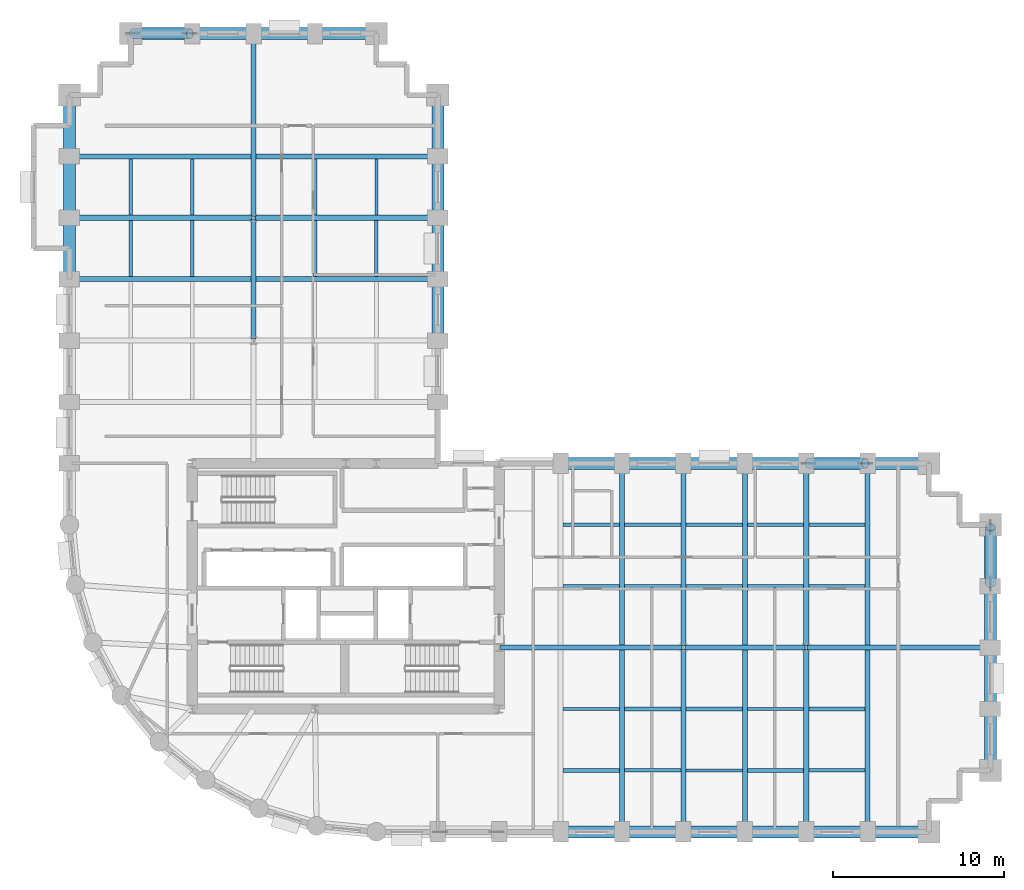
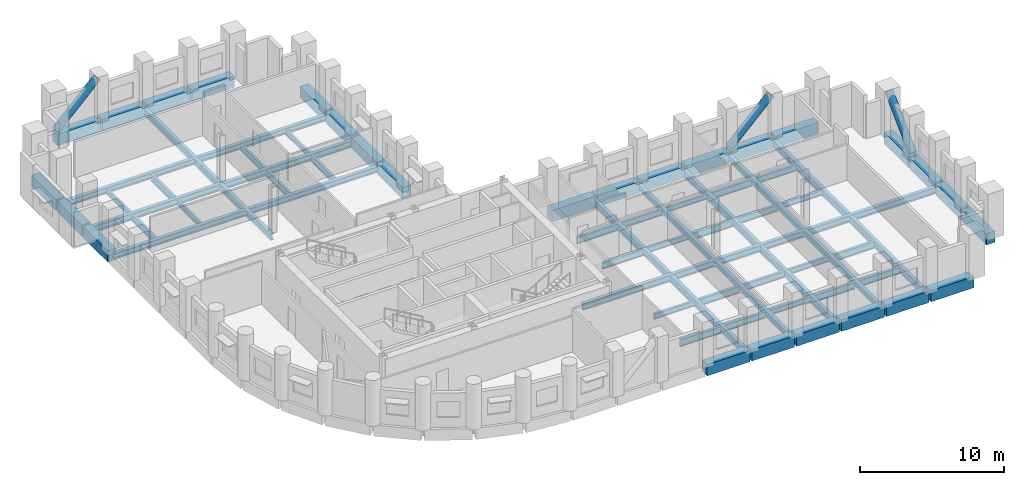
# One storey, part 2 of 11: 71 beams, 3 members.
"""IFC4 building model written with IfcOpenShell, lengths in metres."""

from ifc_helpers import new_model, si_unit, direction, frame, origin, origin_2d, place, context, subcontext, project, spatial, rectangle, hollow_circle, i_section, extrude, material, material_profile, profile_set, type_object, element, save


model = new_model("IFC4")

# Units and contexts
model_context = context("Model", 3, precision=1e-05, world=origin(), true_north=direction((0.0, 1.0)))
body_context = subcontext(model_context, "Body", "Model", "MODEL_VIEW")
ifc_project = project(units=[si_unit("LENGTHUNIT", "METRE"), si_unit("AREAUNIT", "SQUARE_METRE"), si_unit("VOLUMEUNIT", "CUBIC_METRE"), si_unit("PLANEANGLEUNIT", "RADIAN"), si_unit("MASSUNIT", "GRAM", prefix="KILO")], contexts=[model_context])

# Site, building, storey
site_placement = place(None, origin())
site = spatial("IfcSite", under=ifc_project, at=site_placement, CompositionType="ELEMENT")
building_placement = place(site_placement, origin())
building = spatial("IfcBuilding", under=site, at=building_placement, Name="Solnavia Interchange Tower", CompositionType="ELEMENT")
storey_placement = place(building_placement, frame((0.0, 0.0, 47.39990234375)))
storey = spatial("IfcBuildingStorey", under=building, at=storey_placement, Name="L11", CompositionType="ELEMENT", Elevation=47.39990234375)

# Beams
ifc_material_1 = material(Name="Steel S460", Category="steel")
ifc_material_profile_1 = material_profile(ifc_material_1, i_section(OverallWidth=0.300048828125, OverallDepth=0.550048828125, WebThickness=0.014892578125, FlangeThickness=0.029052734375, FilletRadius=0.027099609375, at=origin_2d()), Name="HEB 550")
ifc_profile_set_1 = profile_set([ifc_material_profile_1], Name="Steel S460")
beam_type_1 = type_object("IfcBeamType", Name="Beam-Girder-HEB550", PredefinedType="BEAM", material=ifc_profile_set_1)
beam_1_placement = place(storey_placement, frame((32.47998046875, 14.39990234375, -0.52490234375), z_axis=(1.0, 0.0, 0.0), x_axis=(0.0, 1.0, 0.0)))
element("IfcBeam", 1, at=beam_1_placement, inside=storey, type_object=beam_type_1, Name="GRD-L11-ES01 East wing spine girder", PredefinedType="BEAM", context=body_context, shape_type="SweptSolid", body=[
    extrude(i_section(OverallWidth=0.300048828125, OverallDepth=0.550048828125, WebThickness=0.014892578125, FlangeThickness=0.029052734375, FilletRadius=0.027099609375, at=origin_2d()), origin(), (0.0, 0.0, 1.0), 10.64013671875),
])
beam_2_placement = place(storey_placement, frame((43.280029296875, 14.39990234375, -0.52490234375), z_axis=(1.0, 0.0, 0.0), x_axis=(0.0, 1.0, 0.0)))
element("IfcBeam", 2, at=beam_2_placement, inside=storey, type_object=beam_type_1, Name="GRD-L11-ES02 East wing spine girder", PredefinedType="BEAM", context=body_context, shape_type="SweptSolid", body=[
    extrude(i_section(OverallWidth=0.300048828125, OverallDepth=0.550048828125, WebThickness=0.014892578125, FlangeThickness=0.029052734375, FilletRadius=0.027099609375, at=origin_2d()), origin(), (0.0, 0.0, 1.0), 7.0400390625),
])
beam_3_placement = place(storey_placement, frame((50.47998046875, 14.39990234375, -0.52490234375), z_axis=(1.0, 0.0, 0.0), x_axis=(0.0, 1.0, 0.0)))
element("IfcBeam", 3, at=beam_3_placement, inside=storey, type_object=beam_type_1, Name="GRD-L11-ES03 East wing spine girder", PredefinedType="BEAM", context=body_context, shape_type="SweptSolid", body=[
    extrude(i_section(OverallWidth=0.300048828125, OverallDepth=0.550048828125, WebThickness=0.014892578125, FlangeThickness=0.029052734375, FilletRadius=0.027099609375, at=origin_2d()), origin(), (0.0, 0.0, 1.0), 10.64013671875),
])
beam_4_placement = place(storey_placement, frame((18.0, 32.47998046875, -0.52490234375), z_axis=(0.0, 1.0, 0.0), x_axis=(-1.0, 0.0, 0.0)))
element("IfcBeam", 4, at=beam_4_placement, inside=storey, type_object=beam_type_1, Name="GRD-L11-NS13 North wing spine girder", PredefinedType="BEAM", context=body_context, shape_type="SweptSolid", body=[
    extrude(i_section(OverallWidth=0.300048828125, OverallDepth=0.550048828125, WebThickness=0.014892578125, FlangeThickness=0.029052734375, FilletRadius=0.027099609375, at=origin_2d()), origin(), (0.0, 0.0, 1.0), 7.0400390625),
])
beam_5_placement = place(storey_placement, frame((18.0, 39.679931640625, -0.52490234375), z_axis=(0.0, 1.0, 0.0), x_axis=(-1.0, 0.0, 0.0)))
element("IfcBeam", 5, at=beam_5_placement, inside=storey, type_object=beam_type_1, Name="GRD-L11-NS14 North wing spine girder", PredefinedType="BEAM", context=body_context, shape_type="SweptSolid", body=[
    extrude(i_section(OverallWidth=0.300048828125, OverallDepth=0.550048828125, WebThickness=0.014892578125, FlangeThickness=0.029052734375, FilletRadius=0.027099609375, at=origin_2d()), origin(), (0.0, 0.0, 1.0), 10.64013671875),
])
for number, where, z_axis, x_axis, name in (
    (6, (7.280029296875, 39.60009765625, -0.52490234375), (1.0, 0.0, 0.0), (0.0, 1.0, 0.0), "GRD-L11-NW19 North wing primary floor girder"),
    (7, (18.080078125, 39.60009765625, -0.52490234375), (1.0, 0.0, 0.0), (0.0, 1.0, 0.0), "GRD-L11-NW20 North wing primary floor girder"),
):
    element("IfcBeam", number, at=place(storey_placement, frame(where, z_axis=z_axis, x_axis=x_axis)), inside=storey, type_object=beam_type_1, Name=name, PredefinedType="BEAM", context=body_context, shape_type="SweptSolid", body=[
        extrude(i_section(OverallWidth=0.300048828125, OverallDepth=0.550048828125, WebThickness=0.014892578125, FlangeThickness=0.029052734375, FilletRadius=0.027099609375, at=origin_2d()), origin(), (0.0, 0.0, 1.0), 10.639892578125),
    ])
ifc_material_2 = material(Name="Steel S355", Category="steel")
ifc_material_profile_2 = material_profile(ifc_material_2, i_section(OverallWidth=0.18994140625, OverallDepth=0.449951171875, WebThickness=0.009521484375, FlangeThickness=0.0146484375, FilletRadius=0.02099609375, at=origin_2d()), Name="IPE 450")
ifc_profile_set_2 = profile_set([ifc_material_profile_2], Name="Steel S355")
beam_type_2 = type_object("IfcBeamType", Name="Beam-Joist-IPE450", PredefinedType="JOIST", material=ifc_profile_set_2)
beam_6_placement = place(storey_placement, frame((43.35009765625, 7.199951171875, -0.474853515625), z_axis=(1.0, 0.0, 0.0), x_axis=(0.0, 1.0, 0.0)))
element("IfcBeam", 8, at=beam_6_placement, inside=storey, type_object=beam_type_2, Name="JST-L11-E03 East wing secondary joist", PredefinedType="JOIST", context=body_context, shape_type="SweptSolid", body=[
    extrude(i_section(OverallWidth=0.18994140625, OverallDepth=0.449951171875, WebThickness=0.009521484375, FlangeThickness=0.0146484375, FilletRadius=0.02099609375, at=origin_2d()), origin(), (0.0, 0.0, 1.0), 3.2998046875),
])
for number, where, z_axis, x_axis, name in (
    (9, (36.14990234375, 10.800048828125, -0.474853515625), (1.0, 0.0, 0.0), (0.0, 1.0, 0.0), "JST-L11-E06 East wing secondary joist"),
    (10, (46.949951171875, 10.800048828125, -0.474853515625), (1.0, 0.0, 0.0), (0.0, 1.0, 0.0), "JST-L11-E09 East wing secondary joist"),
    (11, (39.75, 18.0, -0.474853515625), (1.0, 0.0, 0.0), (0.0, 1.0, 0.0), "JST-L11-E12 East wing secondary joist"),
    (12, (50.550048828125, 18.0, -0.474853515625), (1.0, 0.0, 0.0), (0.0, 1.0, 0.0), "JST-L11-E15 East wing secondary joist"),
):
    element("IfcBeam", number, at=place(storey_placement, frame(where, z_axis=z_axis, x_axis=x_axis)), inside=storey, type_object=beam_type_2, Name=name, PredefinedType="JOIST", context=body_context, shape_type="SweptSolid", body=[
        extrude(i_section(OverallWidth=0.18994140625, OverallDepth=0.449951171875, WebThickness=0.009521484375, FlangeThickness=0.0146484375, FilletRadius=0.02099609375, at=origin_2d()), origin(), (0.0, 0.0, 1.0), 3.300048828125),
    ])
beam_7_placement = place(storey_placement, frame((43.35009765625, 21.60009765625, -0.474853515625), z_axis=(1.0, 0.0, 0.0), x_axis=(0.0, 1.0, 0.0)))
element("IfcBeam", 13, at=beam_7_placement, inside=storey, type_object=beam_type_2, Name="JST-L11-E18 East wing secondary joist", PredefinedType="JOIST", context=body_context, shape_type="SweptSolid", body=[
    extrude(i_section(OverallWidth=0.18994140625, OverallDepth=0.449951171875, WebThickness=0.009521484375, FlangeThickness=0.0146484375, FilletRadius=0.02099609375, at=origin_2d()), origin(), (0.0, 0.0, 1.0), 3.2998046875),
])
for number, where, z_axis, x_axis, name in (
    (14, (10.800048828125, 39.75, -0.474853515625), (0.0, 1.0, 0.0), (-1.0, 0.0, 0.0), "JST-L11-N24 North wing secondary joist"),
    (15, (14.39990234375, 36.14990234375, -0.474853515625), (0.0, 1.0, 0.0), (-1.0, 0.0, 0.0), "JST-L11-N27 North wing secondary joist"),
    (16, (25.199951171875, 39.75, -0.474853515625), (0.0, 1.0, 0.0), (-1.0, 0.0, 0.0), "JST-L11-N36 North wing secondary joist"),
):
    element("IfcBeam", number, at=place(storey_placement, frame(where, z_axis=z_axis, x_axis=x_axis)), inside=storey, type_object=beam_type_2, Name=name, PredefinedType="JOIST", context=body_context, shape_type="SweptSolid", body=[
        extrude(i_section(OverallWidth=0.18994140625, OverallDepth=0.449951171875, WebThickness=0.009521484375, FlangeThickness=0.0146484375, FilletRadius=0.02099609375, at=origin_2d()), origin(), (0.0, 0.0, 1.0), 3.300048828125),
    ])
ifc_material_profile_3 = material_profile(ifc_material_2, i_section(OverallWidth=0.2099609375, OverallDepth=0.550048828125, WebThickness=0.010986328125, FlangeThickness=0.01708984375, FilletRadius=0.02392578125, at=origin_2d()), Name="IPE 550")
ifc_profile_set_3 = profile_set([ifc_material_profile_3], Name="Steel S355")
beam_type_3 = type_object("IfcBeamType", Name="Beam-Joist-IPE550", PredefinedType="JOIST", material=ifc_profile_set_3)
for number, where, z_axis, x_axis, name in (
    (17, (39.75, 7.199951171875, -0.52490234375), (1.0, 0.0, 0.0), (0.0, 1.0, 0.0), "JST-L11-E02 East wing secondary joist"),
    (18, (50.550048828125, 7.199951171875, -0.52490234375), (1.0, 0.0, 0.0), (0.0, 1.0, 0.0), "JST-L11-E05 East wing secondary joist"),
):
    element("IfcBeam", number, at=place(storey_placement, frame(where, z_axis=z_axis, x_axis=x_axis)), inside=storey, type_object=beam_type_3, Name=name, PredefinedType="JOIST", context=body_context, shape_type="SweptSolid", body=[
        extrude(i_section(OverallWidth=0.2099609375, OverallDepth=0.550048828125, WebThickness=0.010986328125, FlangeThickness=0.01708984375, FilletRadius=0.02392578125, at=origin_2d()), origin(), (0.0, 0.0, 1.0), 3.300048828125),
    ])
beam_8_placement = place(storey_placement, frame((43.35009765625, 10.800048828125, -0.52490234375), z_axis=(1.0, 0.0, 0.0), x_axis=(0.0, 1.0, 0.0)))
element("IfcBeam", 19, at=beam_8_placement, inside=storey, type_object=beam_type_3, Name="JST-L11-E08 East wing secondary joist", PredefinedType="JOIST", context=body_context, shape_type="SweptSolid", body=[
    extrude(i_section(OverallWidth=0.2099609375, OverallDepth=0.550048828125, WebThickness=0.010986328125, FlangeThickness=0.01708984375, FilletRadius=0.02392578125, at=origin_2d()), origin(), (0.0, 0.0, 1.0), 3.2998046875),
])
for number, where, z_axis, x_axis, name in (
    (20, (36.14990234375, 18.0, -0.52490234375), (1.0, 0.0, 0.0), (0.0, 1.0, 0.0), "JST-L11-E11 East wing secondary joist"),
    (21, (46.949951171875, 18.0, -0.52490234375), (1.0, 0.0, 0.0), (0.0, 1.0, 0.0), "JST-L11-E14 East wing secondary joist"),
    (22, (39.75, 21.60009765625, -0.52490234375), (1.0, 0.0, 0.0), (0.0, 1.0, 0.0), "JST-L11-E17 East wing secondary joist"),
    (23, (50.550048828125, 21.60009765625, -0.52490234375), (1.0, 0.0, 0.0), (0.0, 1.0, 0.0), "JST-L11-E20 East wing secondary joist"),
    (24, (10.800048828125, 36.14990234375, -0.52490234375), (0.0, 1.0, 0.0), (-1.0, 0.0, 0.0), "JST-L11-N23 North wing secondary joist"),
    (25, (21.60009765625, 39.75, -0.52490234375), (0.0, 1.0, 0.0), (-1.0, 0.0, 0.0), "JST-L11-N32 North wing secondary joist"),
    (26, (25.199951171875, 36.14990234375, -0.52490234375), (0.0, 1.0, 0.0), (-1.0, 0.0, 0.0), "JST-L11-N35 North wing secondary joist"),
):
    element("IfcBeam", number, at=place(storey_placement, frame(where, z_axis=z_axis, x_axis=x_axis)), inside=storey, type_object=beam_type_3, Name=name, PredefinedType="JOIST", context=body_context, shape_type="SweptSolid", body=[
        extrude(i_section(OverallWidth=0.2099609375, OverallDepth=0.550048828125, WebThickness=0.010986328125, FlangeThickness=0.01708984375, FilletRadius=0.02392578125, at=origin_2d()), origin(), (0.0, 0.0, 1.0), 3.300048828125),
    ])
ifc_material_profile_4 = material_profile(ifc_material_2, i_section(OverallWidth=0.219970703125, OverallDepth=0.60009765625, WebThickness=0.011962890625, FlangeThickness=0.01904296875, FilletRadius=0.02392578125, at=origin_2d()), Name="IPE 600")
ifc_profile_set_4 = profile_set([ifc_material_profile_4], Name="Steel S355")
beam_type_4 = type_object("IfcBeamType", Name="Beam-Joist-IPE600", PredefinedType="JOIST", material=ifc_profile_set_4)
for number, where, z_axis, x_axis, name in (
    (27, (36.14990234375, 7.199951171875, -0.5498046875), (1.0, 0.0, 0.0), (0.0, 1.0, 0.0), "JST-L11-E01 East wing secondary joist"),
    (28, (46.949951171875, 7.199951171875, -0.5498046875), (1.0, 0.0, 0.0), (0.0, 1.0, 0.0), "JST-L11-E04 East wing secondary joist"),
    (29, (39.75, 10.800048828125, -0.5498046875), (1.0, 0.0, 0.0), (0.0, 1.0, 0.0), "JST-L11-E07 East wing secondary joist"),
    (30, (50.550048828125, 10.800048828125, -0.5498046875), (1.0, 0.0, 0.0), (0.0, 1.0, 0.0), "JST-L11-E10 East wing secondary joist"),
):
    element("IfcBeam", number, at=place(storey_placement, frame(where, z_axis=z_axis, x_axis=x_axis)), inside=storey, type_object=beam_type_4, Name=name, PredefinedType="JOIST", context=body_context, shape_type="SweptSolid", body=[
        extrude(i_section(OverallWidth=0.219970703125, OverallDepth=0.60009765625, WebThickness=0.011962890625, FlangeThickness=0.01904296875, FilletRadius=0.02392578125, at=origin_2d()), origin(), (0.0, 0.0, 1.0), 3.300048828125),
    ])
beam_9_placement = place(storey_placement, frame((43.35009765625, 18.0, -0.5498046875), z_axis=(1.0, 0.0, 0.0), x_axis=(0.0, 1.0, 0.0)))
element("IfcBeam", 31, at=beam_9_placement, inside=storey, type_object=beam_type_4, Name="JST-L11-E13 East wing secondary joist", PredefinedType="JOIST", context=body_context, shape_type="SweptSolid", body=[
    extrude(i_section(OverallWidth=0.219970703125, OverallDepth=0.60009765625, WebThickness=0.011962890625, FlangeThickness=0.01904296875, FilletRadius=0.02392578125, at=origin_2d()), origin(), (0.0, 0.0, 1.0), 3.2998046875),
])
for number, where, z_axis, x_axis, name in (
    (32, (36.14990234375, 21.60009765625, -0.5498046875), (1.0, 0.0, 0.0), (0.0, 1.0, 0.0), "JST-L11-E16 East wing secondary joist"),
    (33, (46.949951171875, 21.60009765625, -0.5498046875), (1.0, 0.0, 0.0), (0.0, 1.0, 0.0), "JST-L11-E19 East wing secondary joist"),
    (34, (14.39990234375, 39.75, -0.5498046875), (0.0, 1.0, 0.0), (-1.0, 0.0, 0.0), "JST-L11-N28 North wing secondary joist"),
    (35, (21.60009765625, 36.14990234375, -0.5498046875), (0.0, 1.0, 0.0), (-1.0, 0.0, 0.0), "JST-L11-N31 North wing secondary joist"),
):
    element("IfcBeam", number, at=place(storey_placement, frame(where, z_axis=z_axis, x_axis=x_axis)), inside=storey, type_object=beam_type_4, Name=name, PredefinedType="JOIST", context=body_context, shape_type="SweptSolid", body=[
        extrude(i_section(OverallWidth=0.219970703125, OverallDepth=0.60009765625, WebThickness=0.011962890625, FlangeThickness=0.01904296875, FilletRadius=0.02392578125, at=origin_2d()), origin(), (0.0, 0.0, 1.0), 3.300048828125),
    ])
ifc_material_profile_5 = material_profile(ifc_material_2, i_section(OverallWidth=0.300048828125, OverallDepth=0.489990234375, WebThickness=0.011962890625, FlangeThickness=0.02294921875, FilletRadius=0.027099609375, at=origin_2d()), Name="HEA 500")
ifc_profile_set_5 = profile_set([ifc_material_profile_5], Name="Steel S355")
beam_type_5 = type_object("IfcBeamType", Name="Beam-Primary-HEA500", PredefinedType="BEAM", material=ifc_profile_set_5)
for number, where, z_axis, x_axis, name in (
    (36, (43.199951171875, 3.679931640625, -0.494873046875), (0.0, 1.0, 0.0), (-1.0, 0.0, 0.0), "GRD-L11-EW06 East wing primary floor girder"),
    (37, (43.199951171875, 14.47998046875, -0.494873046875), (0.0, 1.0, 0.0), (-1.0, 0.0, 0.0), "GRD-L11-EW07 East wing primary floor girder"),
    (38, (50.39990234375, 3.679931640625, -0.494873046875), (0.0, 1.0, 0.0), (-1.0, 0.0, 0.0), "GRD-L11-EW09 East wing primary floor girder"),
    (39, (50.39990234375, 14.47998046875, -0.494873046875), (0.0, 1.0, 0.0), (-1.0, 0.0, 0.0), "GRD-L11-EW10 East wing primary floor girder"),
):
    element("IfcBeam", number, at=place(storey_placement, frame(where, z_axis=z_axis, x_axis=x_axis)), inside=storey, type_object=beam_type_5, Name=name, PredefinedType="BEAM", context=body_context, shape_type="SweptSolid", body=[
        extrude(i_section(OverallWidth=0.300048828125, OverallDepth=0.489990234375, WebThickness=0.011962890625, FlangeThickness=0.02294921875, FilletRadius=0.027099609375, at=origin_2d()), origin(), (0.0, 0.0, 1.0), 10.64013671875),
    ])
for number, where, z_axis, x_axis, name in (
    (40, (7.280029296875, 36.0, -0.494873046875), (1.0, 0.0, 0.0), (0.0, 1.0, 0.0), "GRD-L11-NW18 North wing primary floor girder"),
    (41, (7.280029296875, 43.199951171875, -0.494873046875), (1.0, 0.0, 0.0), (0.0, 1.0, 0.0), "GRD-L11-NW21 North wing primary floor girder"),
):
    element("IfcBeam", number, at=place(storey_placement, frame(where, z_axis=z_axis, x_axis=x_axis)), inside=storey, type_object=beam_type_5, Name=name, PredefinedType="BEAM", context=body_context, shape_type="SweptSolid", body=[
        extrude(i_section(OverallWidth=0.300048828125, OverallDepth=0.489990234375, WebThickness=0.011962890625, FlangeThickness=0.02294921875, FilletRadius=0.027099609375, at=origin_2d()), origin(), (0.0, 0.0, 1.0), 21.43994140625),
    ])
ifc_material_profile_6 = material_profile(ifc_material_2, i_section(OverallWidth=0.300048828125, OverallDepth=0.590087890625, WebThickness=0.012939453125, FlangeThickness=0.02490234375, FilletRadius=0.027099609375, at=origin_2d()), Name="HEA 600")
ifc_profile_set_6 = profile_set([ifc_material_profile_6], Name="Steel S355")
beam_type_6 = type_object("IfcBeamType", Name="Beam-Primary-HEA600", PredefinedType="BEAM", material=ifc_profile_set_6)
for number, where, z_axis, x_axis, name in (
    (42, (39.60009765625, 3.679931640625, -0.544921875), (0.0, 1.0, 0.0), (-1.0, 0.0, 0.0), "GRD-L11-EW05 East wing primary floor girder"),
    (43, (46.800048828125, 3.679931640625, -0.544921875), (0.0, 1.0, 0.0), (-1.0, 0.0, 0.0), "GRD-L11-EW08 East wing primary floor girder"),
    (44, (54.0, 3.679931640625, -0.544921875), (0.0, 1.0, 0.0), (-1.0, 0.0, 0.0), "GRD-L11-EW11 East wing primary floor girder"),
):
    element("IfcBeam", number, at=place(storey_placement, frame(where, z_axis=z_axis, x_axis=x_axis)), inside=storey, type_object=beam_type_6, Name=name, PredefinedType="BEAM", context=body_context, shape_type="SweptSolid", body=[
        extrude(i_section(OverallWidth=0.300048828125, OverallDepth=0.590087890625, WebThickness=0.012939453125, FlangeThickness=0.02490234375, FilletRadius=0.027099609375, at=origin_2d()), origin(), (0.0, 0.0, 1.0), 21.440185546875),
    ])
ifc_material_3 = material(Name="Concrete C50/60", Category="concrete")
ifc_material_profile_7 = material_profile(ifc_material_3, rectangle(XDim=0.699951171875, YDim=0.949951171875, at=origin_2d()), Name="RC 700x950")
ifc_profile_set_7 = profile_set([ifc_material_profile_7], Name="Concrete C50/60")
beam_type_7 = type_object("IfcBeamType", Name="Beam-Spandrel-RC700x950", PredefinedType="SPANDREL", material=ifc_profile_set_7)
beam_10_placement = place(storey_placement, frame((36.080078125, 3.60009765625, -0.474853515625), z_axis=(1.0, 0.0, 0.0), x_axis=(0.0, 1.0, 0.0)))
element("IfcBeam", 45, at=beam_10_placement, inside=storey, type_object=beam_type_7, Name="SPB-L11-12 Framed-tube perimeter spandrel beam", PredefinedType="SPANDREL", context=body_context, shape_type="SweptSolid", body=[
    extrude(rectangle(XDim=0.699951171875, YDim=0.949951171875, at=origin_2d()), origin(), (0.0, 0.0, 1.0), 3.43994140625),
])
beam_11_placement = place(storey_placement, frame((39.679931640625, 3.60009765625, -0.474853515625), z_axis=(1.0, 0.0, 0.0), x_axis=(0.0, 1.0, 0.0)))
element("IfcBeam", 46, at=beam_11_placement, inside=storey, type_object=beam_type_7, Name="SPB-L11-13 Framed-tube perimeter spandrel beam", PredefinedType="SPANDREL", context=body_context, shape_type="SweptSolid", body=[
    extrude(rectangle(XDim=0.699951171875, YDim=0.949951171875, at=origin_2d()), origin(), (0.0, 0.0, 1.0), 3.440185546875),
])
beam_12_placement = place(storey_placement, frame((43.280029296875, 3.60009765625, -0.474853515625), z_axis=(1.0, 0.0, 0.0), x_axis=(0.0, 1.0, 0.0)))
element("IfcBeam", 47, at=beam_12_placement, inside=storey, type_object=beam_type_7, Name="SPB-L11-14 Framed-tube perimeter spandrel beam", PredefinedType="SPANDREL", context=body_context, shape_type="SweptSolid", body=[
    extrude(rectangle(XDim=0.699951171875, YDim=0.949951171875, at=origin_2d()), origin(), (0.0, 0.0, 1.0), 3.43994140625),
])
beam_13_placement = place(storey_placement, frame((46.8798828125, 3.60009765625, -0.474853515625), z_axis=(1.0, 0.0, 0.0), x_axis=(0.0, 1.0, 0.0)))
element("IfcBeam", 48, at=beam_13_placement, inside=storey, type_object=beam_type_7, Name="SPB-L11-15 Framed-tube perimeter spandrel beam", PredefinedType="SPANDREL", context=body_context, shape_type="SweptSolid", body=[
    extrude(rectangle(XDim=0.699951171875, YDim=0.949951171875, at=origin_2d()), origin(), (0.0, 0.0, 1.0), 3.440185546875),
])
for number, where, z_axis, x_axis, name in (
    (49, (50.47998046875, 3.60009765625, -0.474853515625), (1.0, 0.0, 0.0), (0.0, 1.0, 0.0), "SPB-L11-16 Framed-tube perimeter spandrel beam"),
    (50, (54.080078125, 3.60009765625, -0.474853515625), (1.0, 0.0, 0.0), (0.0, 1.0, 0.0), "SPB-L11-17 Framed-tube perimeter spandrel beam"),
    (51, (61.199951171875, 7.280029296875, -0.474853515625), (0.0, 1.0, 0.0), (-1.0, 0.0, 0.0), "SPB-L11-18 Framed-tube perimeter spandrel beam"),
):
    element("IfcBeam", number, at=place(storey_placement, frame(where, z_axis=z_axis, x_axis=x_axis)), inside=storey, type_object=beam_type_7, Name=name, PredefinedType="SPANDREL", context=body_context, shape_type="SweptSolid", body=[
        extrude(rectangle(XDim=0.699951171875, YDim=0.949951171875, at=origin_2d()), origin(), (0.0, 0.0, 1.0), 3.43994140625),
    ])
beam_14_placement = place(storey_placement, frame((61.199951171875, 10.8798828125, -0.474853515625), z_axis=(0.0, 1.0, 0.0), x_axis=(-1.0, 0.0, 0.0)))
element("IfcBeam", 52, at=beam_14_placement, inside=storey, type_object=beam_type_7, Name="SPB-L11-19 Framed-tube perimeter spandrel beam", PredefinedType="SPANDREL", context=body_context, shape_type="SweptSolid", body=[
    extrude(rectangle(XDim=0.699951171875, YDim=0.949951171875, at=origin_2d()), origin(), (0.0, 0.0, 1.0), 3.440185546875),
])
for number, where, z_axis, x_axis, name in (
    (53, (61.199951171875, 14.47998046875, -0.474853515625), (0.0, 1.0, 0.0), (-1.0, 0.0, 0.0), "SPB-L11-20 Framed-tube perimeter spandrel beam"),
    (54, (61.199951171875, 18.080078125, -0.474853515625), (0.0, 1.0, 0.0), (-1.0, 0.0, 0.0), "SPB-L11-21 Framed-tube perimeter spandrel beam"),
    (55, (57.52001953125, 25.199951171875, -0.474853515625), (-1.0, 0.0, 0.0), (0.0, -1.0, 0.0), "SPB-L11-22 Framed-tube perimeter spandrel beam"),
    (56, (53.919921875, 25.199951171875, -0.474853515625), (-1.0, 0.0, 0.0), (0.0, -1.0, 0.0), "SPB-L11-23 Framed-tube perimeter spandrel beam"),
):
    element("IfcBeam", number, at=place(storey_placement, frame(where, z_axis=z_axis, x_axis=x_axis)), inside=storey, type_object=beam_type_7, Name=name, PredefinedType="SPANDREL", context=body_context, shape_type="SweptSolid", body=[
        extrude(rectangle(XDim=0.699951171875, YDim=0.949951171875, at=origin_2d()), origin(), (0.0, 0.0, 1.0), 3.43994140625),
    ])
beam_15_placement = place(storey_placement, frame((50.320068359375, 25.199951171875, -0.474853515625), z_axis=(-1.0, 0.0, 0.0), x_axis=(0.0, -1.0, 0.0)))
element("IfcBeam", 57, at=beam_15_placement, inside=storey, type_object=beam_type_7, Name="SPB-L11-24 Framed-tube perimeter spandrel beam", PredefinedType="SPANDREL", context=body_context, shape_type="SweptSolid", body=[
    extrude(rectangle(XDim=0.699951171875, YDim=0.949951171875, at=origin_2d()), origin(), (0.0, 0.0, 1.0), 3.440185546875),
])
beam_16_placement = place(storey_placement, frame((46.719970703125, 25.199951171875, -0.474853515625), z_axis=(-1.0, 0.0, 0.0), x_axis=(0.0, -1.0, 0.0)))
element("IfcBeam", 58, at=beam_16_placement, inside=storey, type_object=beam_type_7, Name="SPB-L11-25 Framed-tube perimeter spandrel beam", PredefinedType="SPANDREL", context=body_context, shape_type="SweptSolid", body=[
    extrude(rectangle(XDim=0.699951171875, YDim=0.949951171875, at=origin_2d()), origin(), (0.0, 0.0, 1.0), 3.43994140625),
])
beam_17_placement = place(storey_placement, frame((43.1201171875, 25.199951171875, -0.474853515625), z_axis=(-1.0, 0.0, 0.0), x_axis=(0.0, -1.0, 0.0)))
element("IfcBeam", 59, at=beam_17_placement, inside=storey, type_object=beam_type_7, Name="SPB-L11-26 Framed-tube perimeter spandrel beam", PredefinedType="SPANDREL", context=body_context, shape_type="SweptSolid", body=[
    extrude(rectangle(XDim=0.699951171875, YDim=0.949951171875, at=origin_2d()), origin(), (0.0, 0.0, 1.0), 3.440185546875),
])
for number, where, z_axis, x_axis, name in (
    (60, (39.52001953125, 25.199951171875, -0.474853515625), (-1.0, 0.0, 0.0), (0.0, -1.0, 0.0), "SPB-L11-27 Framed-tube perimeter spandrel beam"),
    (61, (28.800048828125, 32.47998046875, -0.474853515625), (0.0, 1.0, 0.0), (-1.0, 0.0, 0.0), "SPB-L11-30 Framed-tube perimeter spandrel beam"),
    (62, (28.800048828125, 36.080078125, -0.474853515625), (0.0, 1.0, 0.0), (-1.0, 0.0, 0.0), "SPB-L11-31 Framed-tube perimeter spandrel beam"),
):
    element("IfcBeam", number, at=place(storey_placement, frame(where, z_axis=z_axis, x_axis=x_axis)), inside=storey, type_object=beam_type_7, Name=name, PredefinedType="SPANDREL", context=body_context, shape_type="SweptSolid", body=[
        extrude(rectangle(XDim=0.699951171875, YDim=0.949951171875, at=origin_2d()), origin(), (0.0, 0.0, 1.0), 3.43994140625),
    ])
beam_18_placement = place(storey_placement, frame((28.800048828125, 39.679931640625, -0.474853515625), z_axis=(0.0, 1.0, 0.0), x_axis=(-1.0, 0.0, 0.0)))
element("IfcBeam", 63, at=beam_18_placement, inside=storey, type_object=beam_type_7, Name="SPB-L11-32 Framed-tube perimeter spandrel beam", PredefinedType="SPANDREL", context=body_context, shape_type="SweptSolid", body=[
    extrude(rectangle(XDim=0.699951171875, YDim=0.949951171875, at=origin_2d()), origin(), (0.0, 0.0, 1.0), 3.440185546875),
])
beam_19_placement = place(storey_placement, frame((28.800048828125, 43.280029296875, -0.474853515625), z_axis=(0.0, 1.0, 0.0), x_axis=(-1.0, 0.0, 0.0)))
element("IfcBeam", 64, at=beam_19_placement, inside=storey, type_object=beam_type_7, Name="SPB-L11-33 Framed-tube perimeter spandrel beam", PredefinedType="SPANDREL", context=body_context, shape_type="SweptSolid", body=[
    extrude(rectangle(XDim=0.699951171875, YDim=0.949951171875, at=origin_2d()), origin(), (0.0, 0.0, 1.0), 3.43994140625),
])
beam_20_placement = place(storey_placement, frame((25.1201171875, 50.39990234375, -0.474853515625), z_axis=(-1.0, 0.0, 0.0), x_axis=(0.0, -1.0, 0.0)))
element("IfcBeam", 65, at=beam_20_placement, inside=storey, type_object=beam_type_7, Name="SPB-L11-34 Framed-tube perimeter spandrel beam", PredefinedType="SPANDREL", context=body_context, shape_type="SweptSolid", body=[
    extrude(rectangle(XDim=0.699951171875, YDim=0.949951171875, at=origin_2d()), origin(), (0.0, 0.0, 1.0), 3.440185546875),
])
for number, where, z_axis, x_axis, name in (
    (66, (21.52001953125, 50.39990234375, -0.474853515625), (-1.0, 0.0, 0.0), (0.0, -1.0, 0.0), "SPB-L11-35 Framed-tube perimeter spandrel beam"),
    (67, (17.919921875, 50.39990234375, -0.474853515625), (-1.0, 0.0, 0.0), (0.0, -1.0, 0.0), "SPB-L11-36 Framed-tube perimeter spandrel beam"),
):
    element("IfcBeam", number, at=place(storey_placement, frame(where, z_axis=z_axis, x_axis=x_axis)), inside=storey, type_object=beam_type_7, Name=name, PredefinedType="SPANDREL", context=body_context, shape_type="SweptSolid", body=[
        extrude(rectangle(XDim=0.699951171875, YDim=0.949951171875, at=origin_2d()), origin(), (0.0, 0.0, 1.0), 3.43994140625),
    ])
beam_21_placement = place(storey_placement, frame((14.320068359375, 50.39990234375, -0.474853515625), z_axis=(-1.0, 0.0, 0.0), x_axis=(0.0, -1.0, 0.0)))
element("IfcBeam", 68, at=beam_21_placement, inside=storey, type_object=beam_type_7, Name="SPB-L11-37 Framed-tube perimeter spandrel beam", PredefinedType="SPANDREL", context=body_context, shape_type="SweptSolid", body=[
    extrude(rectangle(XDim=0.699951171875, YDim=0.949951171875, at=origin_2d()), origin(), (0.0, 0.0, 1.0), 3.440185546875),
])
beam_22_placement = place(storey_placement, frame((7.199951171875, 46.719970703125, -0.474853515625), z_axis=(0.0, -1.0, 0.0), x_axis=(1.0, 0.0, 0.0)))
element("IfcBeam", 69, at=beam_22_placement, inside=storey, type_object=beam_type_7, Name="SPB-L11-38 Framed-tube perimeter spandrel beam", PredefinedType="SPANDREL", context=body_context, shape_type="SweptSolid", body=[
    extrude(rectangle(XDim=0.699951171875, YDim=0.949951171875, at=origin_2d()), origin(), (0.0, 0.0, 1.0), 3.43994140625),
])
beam_23_placement = place(storey_placement, frame((7.199951171875, 43.1201171875, -0.474853515625), z_axis=(0.0, -1.0, 0.0), x_axis=(1.0, 0.0, 0.0)))
element("IfcBeam", 70, at=beam_23_placement, inside=storey, type_object=beam_type_7, Name="SPB-L11-39 Framed-tube perimeter spandrel beam", PredefinedType="SPANDREL", context=body_context, shape_type="SweptSolid", body=[
    extrude(rectangle(XDim=0.699951171875, YDim=0.949951171875, at=origin_2d()), origin(), (0.0, 0.0, 1.0), 3.440185546875),
])
beam_24_placement = place(storey_placement, frame((7.199951171875, 39.52001953125, -0.474853515625), z_axis=(0.0, -1.0, 0.0), x_axis=(1.0, 0.0, 0.0)))
element("IfcBeam", 71, at=beam_24_placement, inside=storey, type_object=beam_type_7, Name="SPB-L11-40 Framed-tube perimeter spandrel beam", PredefinedType="SPANDREL", context=body_context, shape_type="SweptSolid", body=[
    extrude(rectangle(XDim=0.699951171875, YDim=0.949951171875, at=origin_2d()), origin(), (0.0, 0.0, 1.0), 3.43994140625),
])

# Members
ifc_material_profile_8 = material_profile(ifc_material_1, hollow_circle(Radius=0.304931640625, WallThickness=0.02490234375, at=origin_2d()), Name="CHS 610x25")
ifc_profile_set_8 = profile_set([ifc_material_profile_8], Name="Steel S460")
member_type = type_object("IfcMemberType", Name="Brace-Perim-CHS610", PredefinedType="BRACE", material=ifc_profile_set_8)
for number, where, z_axis, x_axis, name in (
    (72, (61.199951171875, 18.139892578125, 0.18017578125), (0.0, 0.710311792477, 0.703887176661), (-1.0, 0.0, 0.0), "BRC-L11-02 Perimeter tube diagonal brace"),
    (73, (10.93994140625, 50.39990234375, 0.18017578125), (0.710311792477, 0.0, 0.703887176661), (0.0, 1.0, 0.0), "BRC-L11-03 Perimeter tube diagonal brace"),
    (74, (50.5400390625, 25.199951171875, 0.18017578125), (0.710311792477, 0.0, 0.703887176661), (0.0, 1.0, 0.0), "BRC-L11-04 Perimeter tube diagonal brace"),
):
    element("IfcMember", number, at=place(storey_placement, frame(where, z_axis=z_axis, x_axis=x_axis)), inside=storey, type_object=member_type, Name=name, PredefinedType="BRACE", context=body_context, shape_type="SweptSolid", body=[
        extrude(hollow_circle(Radius=0.304931640625, WallThickness=0.02490234375, at=origin_2d()), origin(), (0.0, 0.0, 1.0), 4.674072265625),
    ])

save(model, "model.ifc")
